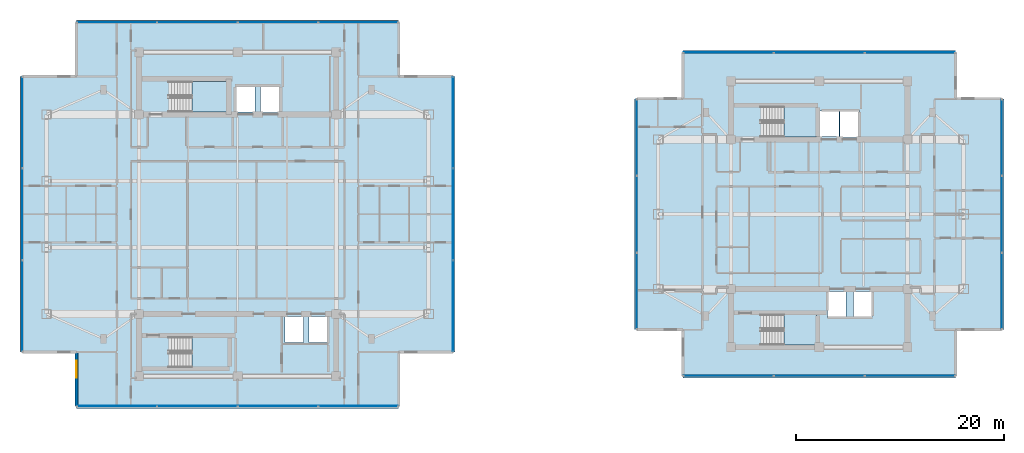
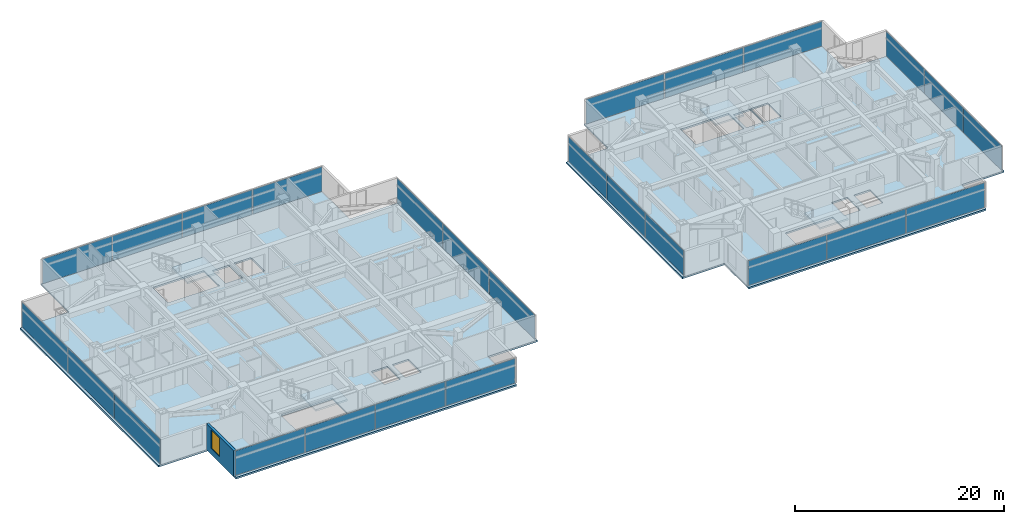
# One storey, part 11 of 24: 26 plates, 6 slabs, 1 wall, 1 window, 1 opening, 12 elements without a shape of their own.
"""IFC4 building model written with IfcOpenShell, lengths in metres."""

from ifc_helpers import new_model, si_unit, direction, frame, frame_2d, origin, origin_2d, place, context, subcontext, project, spatial, polyline, rectangle, outline, extrude, material, layer, layer_set, type_object, element, fill, aggregate, save


model = new_model("IFC4")

# Units and contexts
model_context = context("Model", 3, precision=1e-05, world=origin(), true_north=direction((0.0, 1.0)))
body_context = subcontext(model_context, "Body", "Model", "MODEL_VIEW")
ifc_project = project(units=[si_unit("LENGTHUNIT", "METRE"), si_unit("AREAUNIT", "SQUARE_METRE"), si_unit("VOLUMEUNIT", "CUBIC_METRE"), si_unit("PLANEANGLEUNIT", "RADIAN"), si_unit("MASSUNIT", "GRAM", prefix="KILO")], contexts=[model_context])

# Site, building, storey
site_placement = place(None, origin())
site = spatial("IfcSite", under=ifc_project, at=site_placement, CompositionType="ELEMENT")
building_placement = place(site_placement, origin())
building = spatial("IfcBuilding", under=site, at=building_placement, Name="Mirazonda Arch Towers", CompositionType="ELEMENT")
storey_placement = place(building_placement, frame((0.0, 0.0, 199.89990234375)))
storey = spatial("IfcBuildingStorey", under=building, at=storey_placement, Name="L57", CompositionType="ELEMENT", Elevation=199.89990234375)

# Curtain wall, plates
ifc_material_1 = material(Name="Anodised Aluminium and Low-E Glass", Category="aluminium")
curtain_wall_type = type_object("IfcCurtainWallType", Name="CW-RES-UNIT", PredefinedType="NOTDEFINED", material=ifc_material_1)
curtain_wall_1_placement = place(storey_placement, origin())
curtain_wall_1 = element("IfcCurtainWall", 1, at=curtain_wall_1_placement, inside=storey, type_object=curtain_wall_type, Name="L57 T1 S Facade CW-L57-T1-S", PredefinedType="NOTDEFINED")
ifc_material_2 = material(Name="Insulated Low-E Solar Glass", Category="glass")
ifc_layer_1 = layer(ifc_material_2, 0.0400390625, Name="PAN-CW-RES-UNIT")
ifc_layer_set_1 = layer_set([ifc_layer_1], Name="Insulated Low-E Solar Glass")
plate_type = type_object("IfcPlateType", Name="PAN-CW-RES-UNIT", PredefinedType="CURTAIN_PANEL", material=ifc_layer_set_1)
plate_1_placement = place(storey_placement, frame((32.117431640625, 9.52001953125, 0.0751953125), z_axis=(0.0, 0.0, 1.0), x_axis=(-1.0, 0.0, 0.0)))
plate_1 = element("IfcPlate", 2, at=plate_1_placement, type_object=plate_type, Name="CW-104 panel 1.1", PredefinedType="CURTAIN_PANEL", context=body_context, shape_type="SweptSolid", body=[
    extrude(rectangle(XDim=7.64501953125, YDim=0.0400390625, at=origin_2d()), origin(), (0.0, 0.0, 1.0), 2.8798828125),
])
plate_2_placement = place(storey_placement, frame((24.378662109375, 9.52001953125, 0.0751953125), z_axis=(0.0, 0.0, 1.0), x_axis=(-1.0, 0.0, 0.0)))
plate_2 = element("IfcPlate", 3, at=plate_2_placement, type_object=plate_type, Name="CW-104 panel 2.1", PredefinedType="CURTAIN_PANEL", context=body_context, shape_type="SweptSolid", body=[
    extrude(rectangle(XDim=7.6826171875, YDim=0.0400390625, at=origin_2d()), origin(), (0.0, 0.0, 1.0), 2.8798828125),
])
plate_3_placement = place(storey_placement, frame((16.621337890625, 9.52001953125, 0.0751953125), z_axis=(0.0, 0.0, 1.0), x_axis=(-1.0, 0.0, 0.0)))
plate_3 = element("IfcPlate", 4, at=plate_3_placement, type_object=plate_type, Name="CW-104 panel 3.1", PredefinedType="CURTAIN_PANEL", context=body_context, shape_type="SweptSolid", body=[
    extrude(rectangle(XDim=7.6826171875, YDim=0.0400390625, at=origin_2d()), origin(), (0.0, 0.0, 1.0), 2.8798828125),
])
plate_4_placement = place(storey_placement, frame((8.882568359375, 9.52001953125, 0.0751953125), z_axis=(0.0, 0.0, 1.0), x_axis=(-1.0, 0.0, 0.0)))
plate_4 = element("IfcPlate", 5, at=plate_4_placement, type_object=plate_type, Name="CW-104 panel 4.1", PredefinedType="CURTAIN_PANEL", context=body_context, shape_type="SweptSolid", body=[
    extrude(rectangle(XDim=7.64501953125, YDim=0.0400390625, at=origin_2d()), origin(), (0.0, 0.0, 1.0), 2.8798828125),
])
aggregate(curtain_wall_1, [plate_1, plate_2, plate_3, plate_4])

curtain_wall_2_placement = place(storey_placement, origin())
curtain_wall_2 = element("IfcCurtainWall", 6, at=curtain_wall_2_placement, inside=storey, type_object=curtain_wall_type, Name="L57 T1 E Facade CW-L57-T1-E", PredefinedType="NOTDEFINED")
plate_5_placement = place(storey_placement, frame((41.22998046875, 19.175537109375, 0.0751953125), z_axis=(0.0, 0.0, 1.0), x_axis=(0.0, 1.0, 0.0)))
plate_5 = element("IfcPlate", 7, at=plate_5_placement, type_object=plate_type, Name="CW-104 panel 1.1", PredefinedType="CURTAIN_PANEL", context=body_context, shape_type="SweptSolid", body=[
    extrude(rectangle(XDim=8.730712890625, YDim=0.0400390625, at=origin_2d()), origin(), (0.0, 0.0, 1.0), 2.8798828125),
])
plate_6_placement = place(storey_placement, frame((41.22998046875, 28.0, 0.0751953125), z_axis=(0.0, 0.0, 1.0), x_axis=(0.0, 1.0, 0.0)))
plate_6 = element("IfcPlate", 8, at=plate_6_placement, type_object=plate_type, Name="CW-104 panel 2.1", PredefinedType="CURTAIN_PANEL", context=body_context, shape_type="SweptSolid", body=[
    extrude(rectangle(XDim=8.768310546875, YDim=0.0400390625, at=origin_2d()), origin(), (0.0, 0.0, 1.0), 2.8798828125),
])
plate_7_placement = place(storey_placement, frame((41.22998046875, 36.824462890625, 0.0751953125), z_axis=(0.0, 0.0, 1.0), x_axis=(0.0, 1.0, 0.0)))
plate_7 = element("IfcPlate", 9, at=plate_7_placement, type_object=plate_type, Name="CW-104 panel 3.1", PredefinedType="CURTAIN_PANEL", context=body_context, shape_type="SweptSolid", body=[
    extrude(rectangle(XDim=8.730712890625, YDim=0.0400390625, at=origin_2d()), origin(), (0.0, 0.0, 1.0), 2.8798828125),
])
aggregate(curtain_wall_2, [plate_5, plate_6, plate_7])

curtain_wall_3_placement = place(storey_placement, origin())
curtain_wall_3 = element("IfcCurtainWall", 10, at=curtain_wall_3_placement, inside=storey, type_object=curtain_wall_type, Name="L57 T1 N Facade CW-L57-T1-N", PredefinedType="NOTDEFINED")
plate_8_placement = place(storey_placement, frame((8.882568359375, 46.47998046875, 0.0751953125), z_axis=(0.0, 0.0, 1.0), x_axis=(1.0, 0.0, 0.0)))
plate_8 = element("IfcPlate", 11, at=plate_8_placement, type_object=plate_type, Name="CW-104 panel 1.1", PredefinedType="CURTAIN_PANEL", context=body_context, shape_type="SweptSolid", body=[
    extrude(rectangle(XDim=7.64501953125, YDim=0.0400390625, at=origin_2d()), origin(), (0.0, 0.0, 1.0), 2.8798828125),
])
plate_9_placement = place(storey_placement, frame((16.621337890625, 46.47998046875, 0.0751953125), z_axis=(0.0, 0.0, 1.0), x_axis=(1.0, 0.0, 0.0)))
plate_9 = element("IfcPlate", 12, at=plate_9_placement, type_object=plate_type, Name="CW-104 panel 2.1", PredefinedType="CURTAIN_PANEL", context=body_context, shape_type="SweptSolid", body=[
    extrude(rectangle(XDim=7.6826171875, YDim=0.0400390625, at=origin_2d()), origin(), (0.0, 0.0, 1.0), 2.8798828125),
])
plate_10_placement = place(storey_placement, frame((24.378662109375, 46.47998046875, 0.0751953125), z_axis=(0.0, 0.0, 1.0), x_axis=(1.0, 0.0, 0.0)))
plate_10 = element("IfcPlate", 13, at=plate_10_placement, type_object=plate_type, Name="CW-104 panel 3.1", PredefinedType="CURTAIN_PANEL", context=body_context, shape_type="SweptSolid", body=[
    extrude(rectangle(XDim=7.6826171875, YDim=0.0400390625, at=origin_2d()), origin(), (0.0, 0.0, 1.0), 2.8798828125),
])
plate_11_placement = place(storey_placement, frame((32.117431640625, 46.47998046875, 0.0751953125), z_axis=(0.0, 0.0, 1.0), x_axis=(1.0, 0.0, 0.0)))
plate_11 = element("IfcPlate", 14, at=plate_11_placement, type_object=plate_type, Name="CW-104 panel 4.1", PredefinedType="CURTAIN_PANEL", context=body_context, shape_type="SweptSolid", body=[
    extrude(rectangle(XDim=7.64501953125, YDim=0.0400390625, at=origin_2d()), origin(), (0.0, 0.0, 1.0), 2.8798828125),
])
aggregate(curtain_wall_3, [plate_8, plate_9, plate_10, plate_11])

curtain_wall_4_placement = place(storey_placement, origin())
curtain_wall_4 = element("IfcCurtainWall", 15, at=curtain_wall_4_placement, inside=storey, type_object=curtain_wall_type, Name="L57 T1 W Facade CW-L57-T1-W", PredefinedType="NOTDEFINED")
plate_12_placement = place(storey_placement, frame((-0.22998046875, 36.824462890625, 0.0751953125), z_axis=(0.0, 0.0, 1.0), x_axis=(0.0, -1.0, 0.0)))
plate_12 = element("IfcPlate", 16, at=plate_12_placement, type_object=plate_type, Name="CW-104 panel 1.1", PredefinedType="CURTAIN_PANEL", context=body_context, shape_type="SweptSolid", body=[
    extrude(rectangle(XDim=8.730712890625, YDim=0.0400390625, at=origin_2d()), origin(), (0.0, 0.0, 1.0), 2.8798828125),
])
plate_13_placement = place(storey_placement, frame((-0.22998046875, 28.0, 0.0751953125), z_axis=(0.0, 0.0, 1.0), x_axis=(0.0, -1.0, 0.0)))
plate_13 = element("IfcPlate", 17, at=plate_13_placement, type_object=plate_type, Name="CW-104 panel 2.1", PredefinedType="CURTAIN_PANEL", context=body_context, shape_type="SweptSolid", body=[
    extrude(rectangle(XDim=8.768310546875, YDim=0.0400390625, at=origin_2d()), origin(), (0.0, 0.0, 1.0), 2.8798828125),
])
plate_14_placement = place(storey_placement, frame((-0.22998046875, 19.175537109375, 0.0751953125), z_axis=(0.0, 0.0, 1.0), x_axis=(0.0, -1.0, 0.0)))
plate_14 = element("IfcPlate", 18, at=plate_14_placement, type_object=plate_type, Name="CW-104 panel 3.1", PredefinedType="CURTAIN_PANEL", context=body_context, shape_type="SweptSolid", body=[
    extrude(rectangle(XDim=8.730712890625, YDim=0.0400390625, at=origin_2d()), origin(), (0.0, 0.0, 1.0), 2.8798828125),
])
aggregate(curtain_wall_4, [plate_12, plate_13, plate_14])

curtain_wall_5_placement = place(storey_placement, origin())
curtain_wall_5 = element("IfcCurtainWall", 19, at=curtain_wall_5_placement, inside=storey, type_object=curtain_wall_type, Name="L57 T2 S Facade CW-L57-T2-S", PredefinedType="NOTDEFINED")
plate_15_placement = place(storey_placement, frame((85.233154296875, 12.445068359375, 0.0751953125), z_axis=(0.0, 0.0, 1.0), x_axis=(-1.0, 0.0, 0.0)))
plate_15 = element("IfcPlate", 20, at=plate_15_placement, type_object=plate_type, Name="CW-104 panel 1.1", PredefinedType="CURTAIN_PANEL", context=body_context, shape_type="SweptSolid", body=[
    extrude(rectangle(XDim=8.639404296875, YDim=0.0400390625, at=origin_2d()), origin(), (0.0, 0.0, 1.0), 2.8798828125),
])
plate_16_placement = place(storey_placement, frame((76.5, 12.445068359375, 0.0751953125), z_axis=(0.0, 0.0, 1.0), x_axis=(-1.0, 0.0, 0.0)))
plate_16 = element("IfcPlate", 21, at=plate_16_placement, type_object=plate_type, Name="CW-104 panel 2.1", PredefinedType="CURTAIN_PANEL", context=body_context, shape_type="SweptSolid", body=[
    extrude(rectangle(XDim=8.6767578125, YDim=0.0400390625, at=origin_2d()), origin(), (0.0, 0.0, 1.0), 2.8798828125),
])
plate_17_placement = place(storey_placement, frame((67.766845703125, 12.445068359375, 0.0751953125), z_axis=(0.0, 0.0, 1.0), x_axis=(-1.0, 0.0, 0.0)))
plate_17 = element("IfcPlate", 22, at=plate_17_placement, type_object=plate_type, Name="CW-104 panel 3.1", PredefinedType="CURTAIN_PANEL", context=body_context, shape_type="SweptSolid", body=[
    extrude(rectangle(XDim=8.639404296875, YDim=0.0400390625, at=origin_2d()), origin(), (0.0, 0.0, 1.0), 2.8798828125),
])
aggregate(curtain_wall_5, [plate_15, plate_16, plate_17])

curtain_wall_6_placement = place(storey_placement, origin())
curtain_wall_6 = element("IfcCurtainWall", 23, at=curtain_wall_6_placement, inside=storey, type_object=curtain_wall_type, Name="L57 T2 E Facade CW-L57-T2-E", PredefinedType="NOTDEFINED")
plate_18_placement = place(storey_placement, frame((94.0673828125, 20.608642578125, 0.0751953125), z_axis=(0.0, 0.0, 1.0), x_axis=(0.0, 1.0, 0.0)))
plate_18 = element("IfcPlate", 24, at=plate_18_placement, type_object=plate_type, Name="CW-104 panel 1.1", PredefinedType="CURTAIN_PANEL", context=body_context, shape_type="SweptSolid", body=[
    extrude(rectangle(XDim=7.297607421875, YDim=0.0400390625, at=origin_2d()), origin(), (0.0, 0.0, 1.0), 2.8798828125),
])
plate_19_placement = place(storey_placement, frame((94.0673828125, 28.0, 0.0751953125), z_axis=(0.0, 0.0, 1.0), x_axis=(0.0, 1.0, 0.0)))
plate_19 = element("IfcPlate", 25, at=plate_19_placement, type_object=plate_type, Name="CW-104 panel 2.1", PredefinedType="CURTAIN_PANEL", context=body_context, shape_type="SweptSolid", body=[
    extrude(rectangle(XDim=7.335205078125, YDim=0.0400390625, at=origin_2d()), origin(), (0.0, 0.0, 1.0), 2.8798828125),
])
plate_20_placement = place(storey_placement, frame((94.0673828125, 35.391357421875, 0.0751953125), z_axis=(0.0, 0.0, 1.0), x_axis=(0.0, 1.0, 0.0)))
plate_20 = element("IfcPlate", 26, at=plate_20_placement, type_object=plate_type, Name="CW-104 panel 3.1", PredefinedType="CURTAIN_PANEL", context=body_context, shape_type="SweptSolid", body=[
    extrude(rectangle(XDim=7.297607421875, YDim=0.0400390625, at=origin_2d()), origin(), (0.0, 0.0, 1.0), 2.8798828125),
])
aggregate(curtain_wall_6, [plate_18, plate_19, plate_20])

curtain_wall_7_placement = place(storey_placement, origin())
curtain_wall_7 = element("IfcCurtainWall", 27, at=curtain_wall_7_placement, inside=storey, type_object=curtain_wall_type, Name="L57 T2 N Facade CW-L57-T2-N", PredefinedType="NOTDEFINED")
plate_21_placement = place(storey_placement, frame((67.766845703125, 43.554931640625, 0.0751953125), z_axis=(0.0, 0.0, 1.0), x_axis=(1.0, 0.0, 0.0)))
plate_21 = element("IfcPlate", 28, at=plate_21_placement, type_object=plate_type, Name="CW-104 panel 1.1", PredefinedType="CURTAIN_PANEL", context=body_context, shape_type="SweptSolid", body=[
    extrude(rectangle(XDim=8.639404296875, YDim=0.0400390625, at=origin_2d()), origin(), (0.0, 0.0, 1.0), 2.8798828125),
])
plate_22_placement = place(storey_placement, frame((76.5, 43.554931640625, 0.0751953125), z_axis=(0.0, 0.0, 1.0), x_axis=(1.0, 0.0, 0.0)))
plate_22 = element("IfcPlate", 29, at=plate_22_placement, type_object=plate_type, Name="CW-104 panel 2.1", PredefinedType="CURTAIN_PANEL", context=body_context, shape_type="SweptSolid", body=[
    extrude(rectangle(XDim=8.6767578125, YDim=0.0400390625, at=origin_2d()), origin(), (0.0, 0.0, 1.0), 2.8798828125),
])
plate_23_placement = place(storey_placement, frame((85.233154296875, 43.554931640625, 0.0751953125), z_axis=(0.0, 0.0, 1.0), x_axis=(1.0, 0.0, 0.0)))
plate_23 = element("IfcPlate", 30, at=plate_23_placement, type_object=plate_type, Name="CW-104 panel 3.1", PredefinedType="CURTAIN_PANEL", context=body_context, shape_type="SweptSolid", body=[
    extrude(rectangle(XDim=8.639404296875, YDim=0.0400390625, at=origin_2d()), origin(), (0.0, 0.0, 1.0), 2.8798828125),
])
aggregate(curtain_wall_7, [plate_21, plate_22, plate_23])

curtain_wall_8_placement = place(storey_placement, origin())
curtain_wall_8 = element("IfcCurtainWall", 31, at=curtain_wall_8_placement, inside=storey, type_object=curtain_wall_type, Name="L57 T2 W Facade CW-L57-T2-W", PredefinedType="NOTDEFINED")
plate_24_placement = place(storey_placement, frame((58.9326171875, 35.391357421875, 0.0751953125), z_axis=(0.0, 0.0, 1.0), x_axis=(0.0, -1.0, 0.0)))
plate_24 = element("IfcPlate", 32, at=plate_24_placement, type_object=plate_type, Name="CW-104 panel 1.1", PredefinedType="CURTAIN_PANEL", context=body_context, shape_type="SweptSolid", body=[
    extrude(rectangle(XDim=7.297607421875, YDim=0.0400390625, at=origin_2d()), origin(), (0.0, 0.0, 1.0), 2.8798828125),
])
plate_25_placement = place(storey_placement, frame((58.9326171875, 28.0, 0.0751953125), z_axis=(0.0, 0.0, 1.0), x_axis=(0.0, -1.0, 0.0)))
plate_25 = element("IfcPlate", 33, at=plate_25_placement, type_object=plate_type, Name="CW-104 panel 2.1", PredefinedType="CURTAIN_PANEL", context=body_context, shape_type="SweptSolid", body=[
    extrude(rectangle(XDim=7.335205078125, YDim=0.0400390625, at=origin_2d()), origin(), (0.0, 0.0, 1.0), 2.8798828125),
])
plate_26_placement = place(storey_placement, frame((58.9326171875, 20.608642578125, 0.0751953125), z_axis=(0.0, 0.0, 1.0), x_axis=(0.0, -1.0, 0.0)))
plate_26 = element("IfcPlate", 34, at=plate_26_placement, type_object=plate_type, Name="CW-104 panel 3.1", PredefinedType="CURTAIN_PANEL", context=body_context, shape_type="SweptSolid", body=[
    extrude(rectangle(XDim=7.297607421875, YDim=0.0400390625, at=origin_2d()), origin(), (0.0, 0.0, 1.0), 2.8798828125),
])
aggregate(curtain_wall_8, [plate_24, plate_25, plate_26])

# Stair, slab
ifc_material_3 = material(Name="Concrete C40/50", Category="concrete")
stair_type = type_object("IfcStairType", Name="STAIR-CORE-1400", PredefinedType="HALF_TURN_STAIR", material=ifc_material_3)
stair_1_placement = place(storey_placement, origin())
stair_1 = element("IfcStair", 35, at=stair_1_placement, inside=storey, type_object=stair_type, Name="L57 Protected Exit Stair ST-T1N", PredefinedType="HALF_TURN_STAIR")
ifc_layer_2 = layer(ifc_material_3, 0.18994140625, Name="SLAB-LANDING-190")
ifc_layer_set_2 = layer_set([ifc_layer_2], Name="Concrete C40/50")
slab_type_1 = type_object("IfcSlabType", Name="SLAB-LANDING-190", PredefinedType="LANDING", material=ifc_layer_set_2)
slab_1_placement = place(storey_placement, frame((0.0, 0.0, 1.425048828125)))
slab_1 = element("IfcSlab", 36, at=slab_1_placement, type_object=slab_type_1, Name="ST-T1N landing 1", PredefinedType="LANDING", context=body_context, shape_type="SweptSolid", body=[
    extrude(outline(polyline([(16.090087890625, 37.820068359375), (19.60009765625, 37.820068359375), (19.60009765625, 40.760009765625), (16.090087890625, 40.760009765625), (16.090087890625, 37.820068359375)])), origin(), (0.0, 0.0, 1.0), 0.199951171875),
])
aggregate(stair_1, [slab_1])

stair_2_placement = place(storey_placement, origin())
stair_2 = element("IfcStair", 37, at=stair_2_placement, inside=storey, type_object=stair_type, Name="L57 Protected Exit Stair ST-T1S", PredefinedType="HALF_TURN_STAIR")
slab_2_placement = place(storey_placement, frame((0.0, 0.0, 1.425048828125)))
slab_2 = element("IfcSlab", 38, at=slab_2_placement, type_object=slab_type_1, Name="ST-T1S landing 1", PredefinedType="LANDING", context=body_context, shape_type="SweptSolid", body=[
    extrude(outline(polyline([(16.090087890625, 13.25), (19.60009765625, 13.25), (19.60009765625, 16.18994140625), (16.090087890625, 16.18994140625), (16.090087890625, 13.25)])), origin(), (0.0, 0.0, 1.0), 0.199951171875),
])
aggregate(stair_2, [slab_2])

stair_3_placement = place(storey_placement, origin())
stair_3 = element("IfcStair", 39, at=stair_3_placement, inside=storey, type_object=stair_type, Name="L57 Protected Exit Stair ST-T2N", PredefinedType="HALF_TURN_STAIR")
slab_3_placement = place(storey_placement, frame((0.0, 0.0, 1.425048828125)))
slab_3 = element("IfcSlab", 40, at=slab_3_placement, type_object=slab_type_1, Name="ST-T2N landing 1", PredefinedType="LANDING", context=body_context, shape_type="SweptSolid", body=[
    extrude(outline(polyline([(73.090087890625, 35.419921875), (76.22998046875, 35.419921875), (76.22998046875, 38.360107421875), (73.090087890625, 38.360107421875), (73.090087890625, 35.419921875)])), origin(), (0.0, 0.0, 1.0), 0.199951171875),
])
aggregate(stair_3, [slab_3])

stair_4_placement = place(storey_placement, origin())
stair_4 = element("IfcStair", 41, at=stair_4_placement, inside=storey, type_object=stair_type, Name="L57 Protected Exit Stair ST-T2S", PredefinedType="HALF_TURN_STAIR")
slab_4_placement = place(storey_placement, frame((0.0, 0.0, 1.425048828125)))
slab_4 = element("IfcSlab", 42, at=slab_4_placement, type_object=slab_type_1, Name="ST-T2S landing 1", PredefinedType="LANDING", context=body_context, shape_type="SweptSolid", body=[
    extrude(outline(polyline([(73.090087890625, 15.419921875), (76.22998046875, 15.419921875), (76.22998046875, 18.360107421875), (73.090087890625, 18.360107421875), (73.090087890625, 15.419921875)])), origin(), (0.0, 0.0, 1.0), 0.199951171875),
])
aggregate(stair_4, [slab_4])

# Slabs
ifc_layer_3 = layer(ifc_material_3, 0.199951171875, Name="SLAB-TWR-200")
ifc_layer_set_3 = layer_set([ifc_layer_3], Name="Concrete C40/50")
slab_type_2 = type_object("IfcSlabType", Name="SLAB-TWR-200", PredefinedType="FLOOR", material=ifc_layer_set_3)
slab_5_placement = place(storey_placement, frame((0.0, 0.0, -0.199951171875)))
element("IfcSlab", 43, at=slab_5_placement, inside=storey, type_object=slab_type_2, Name="L57 Tower 1 Floor Slab", PredefinedType="FLOOR", context=body_context, shape_type="SweptSolid", body=[
    extrude(outline(polyline([(4.985107421875, 9.300048828125), (36.014892578125, 9.300048828125), (36.014892578125, 14.735107421875), (41.449951171875, 14.735107421875), (41.449951171875, 41.264892578125), (36.014892578125, 41.264892578125), (36.014892578125, 46.699951171875), (4.985107421875, 46.699951171875), (4.985107421875, 41.264892578125), (-0.449951171875, 41.264892578125), (-0.449951171875, 14.735107421875), (4.985107421875, 14.735107421875), (4.985107421875, 9.300048828125)]), holes=[polyline([(27.360107421875, 18.139892578125), (29.139892578125, 18.139892578125), (29.139892578125, 15.659912109375), (27.360107421875, 15.659912109375), (27.360107421875, 18.139892578125)]), polyline([(25.06005859375, 18.139892578125), (26.840087890625, 18.139892578125), (26.840087890625, 15.659912109375), (25.06005859375, 15.659912109375), (25.06005859375, 18.139892578125)]), polyline([(22.7099609375, 40.389892578125), (24.590087890625, 40.389892578125), (24.590087890625, 37.81005859375), (22.7099609375, 37.81005859375), (22.7099609375, 40.389892578125)]), polyline([(20.31005859375, 37.860107421875), (20.31005859375, 40.340087890625), (22.18994140625, 40.340087890625), (22.18994140625, 37.860107421875), (20.31005859375, 37.860107421875)]), polyline([(19.60009765625, 13.25), (13.925048828125, 13.25), (13.925048828125, 16.18994140625), (19.60009765625, 16.18994140625), (19.60009765625, 13.25)]), polyline([(13.925048828125, 37.820068359375), (13.925048828125, 40.760009765625), (19.60009765625, 40.760009765625), (19.60009765625, 37.820068359375), (13.925048828125, 37.820068359375)])]), origin(), (0.0, 0.0, 1.0), 0.199951171875),
])
slab_6_placement = place(storey_placement, frame((0.0, 0.0, -0.199951171875)))
element("IfcSlab", 44, at=slab_6_placement, inside=storey, type_object=slab_type_2, Name="L57 Tower 2 Floor Slab", PredefinedType="FLOOR", context=body_context, shape_type="SweptSolid", body=[
    extrude(outline(polyline([(63.372314453125, 12.22509765625), (89.627685546875, 12.22509765625), (89.627685546875, 16.884765625), (94.28759765625, 16.884765625), (94.28759765625, 39.115234375), (89.627685546875, 39.115234375), (89.627685546875, 43.77490234375), (63.372314453125, 43.77490234375), (63.372314453125, 39.115234375), (58.71240234375, 39.115234375), (58.71240234375, 16.884765625), (63.372314453125, 16.884765625), (63.372314453125, 12.22509765625)]), holes=[polyline([(79.81005859375, 20.5400390625), (81.590087890625, 20.5400390625), (81.590087890625, 18.06005859375), (79.81005859375, 18.06005859375), (79.81005859375, 20.5400390625)]), polyline([(78.47998046875, 37.989990234375), (80.360107421875, 37.989990234375), (80.360107421875, 35.409912109375), (78.47998046875, 35.409912109375), (78.47998046875, 37.989990234375)]), polyline([(77.31005859375, 20.5400390625), (79.090087890625, 20.5400390625), (79.090087890625, 18.06005859375), (77.31005859375, 18.06005859375), (77.31005859375, 20.5400390625)]), polyline([(76.510009765625, 35.4599609375), (76.510009765625, 37.93994140625), (78.389892578125, 37.93994140625), (78.389892578125, 35.4599609375), (76.510009765625, 35.4599609375)]), polyline([(76.22998046875, 15.419921875), (70.925048828125, 15.419921875), (70.925048828125, 18.360107421875), (76.22998046875, 18.360107421875), (76.22998046875, 15.419921875)]), polyline([(70.925048828125, 35.419921875), (70.925048828125, 38.360107421875), (76.22998046875, 38.360107421875), (76.22998046875, 35.419921875), (70.925048828125, 35.419921875)])]), origin(), (0.0, 0.0, 1.0), 0.199951171875),
])

# Wall, opening, window
ifc_material_4 = material(Name="Precast Concrete C40/50", Category="concrete")
ifc_layer_4 = layer(ifc_material_4, 0.280029296875, Name="WALL-EXT-WALL-280")
ifc_layer_set_4 = layer_set([ifc_layer_4], Name="Precast Concrete C40/50")
wall_type = type_object("IfcWallType", Name="WALL-EXT-WALL-280", PredefinedType="SOLIDWALL", material=ifc_layer_set_4)
wall_placement = place(storey_placement, frame((4.985107421875, 14.735107421875, 0.0), z_axis=(0.0, 0.0, 1.0), x_axis=(0.0, -1.0, 0.0)))
wall = element("IfcWall", 45, at=wall_placement, inside=storey, type_object=wall_type, Name="L57 T1 Notched SW Corner Wall WL-L57-T1-CSW", PredefinedType="SOLIDWALL", context=body_context, shape_type="SweptSolid", body=[
    extrude(rectangle(XDim=5.215087890625, YDim=0.280029296875, at=frame_2d((2.607421875, 0.0))), origin(), (0.0, 0.0, 1.0), 3.030029296875),
])
opening_placement = place(wall_placement, frame((0.85009765625, 0.0, 0.679931640625)))
opening = element("IfcOpeningElement", 46, at=opening_placement, cuts=wall, Name="Opening WN-115", PredefinedType="OPENING", context=body_context, shape_type="SweptSolid", body=[
    extrude(rectangle(XDim=1.64990234375, YDim=2.199951171875, at=frame_2d((0.824951171875, 1.10009765625))), frame((0.0, 0.14990234375, 0.0), z_axis=(0.0, -1.0, 0.0), x_axis=(1.0, 0.0, 0.0)), (0.0, 0.0, 1.0), 0.300048828125),
])
window_type = type_object("IfcWindowType", Name="WIN-RES-1650x2200", PartitioningType="SINGLE_PANEL", PredefinedType="WINDOW", material=ifc_material_2)
window_placement = place(opening_placement, origin())
window = element("IfcWindow", 47, at=window_placement, inside=storey, type_object=window_type, Name="L57 Punched Facade Window WN-L57-T1-CSW", OverallHeight=2.199951171875, OverallWidth=1.64990234375, PartitioningType="SINGLE_PANEL", PredefinedType="WINDOW", context=body_context, shape_type="SweptSolid", body=[
    extrude(rectangle(XDim=1.64990234375, YDim=2.199951171875, at=frame_2d((0.824951171875, 1.10009765625))), frame((0.0, 0.030029296875, 0.0), z_axis=(0.0, -1.0, 0.0), x_axis=(1.0, 0.0, 0.0)), (0.0, 0.0, 1.0), 0.06005859375),
])
fill(opening, window)

save(model, "model.ifc")
